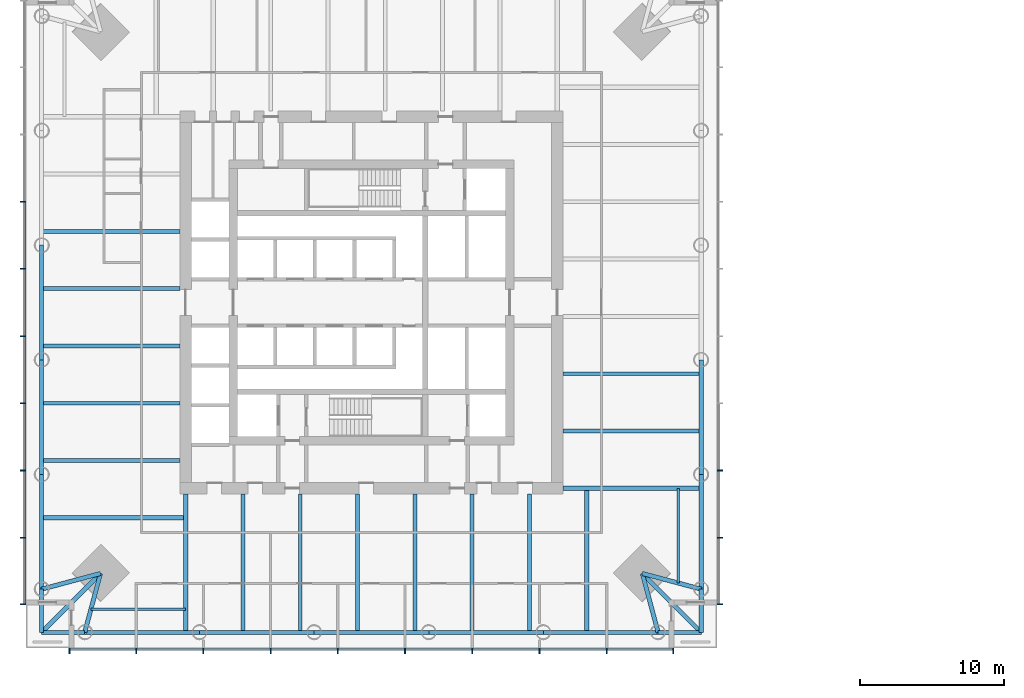
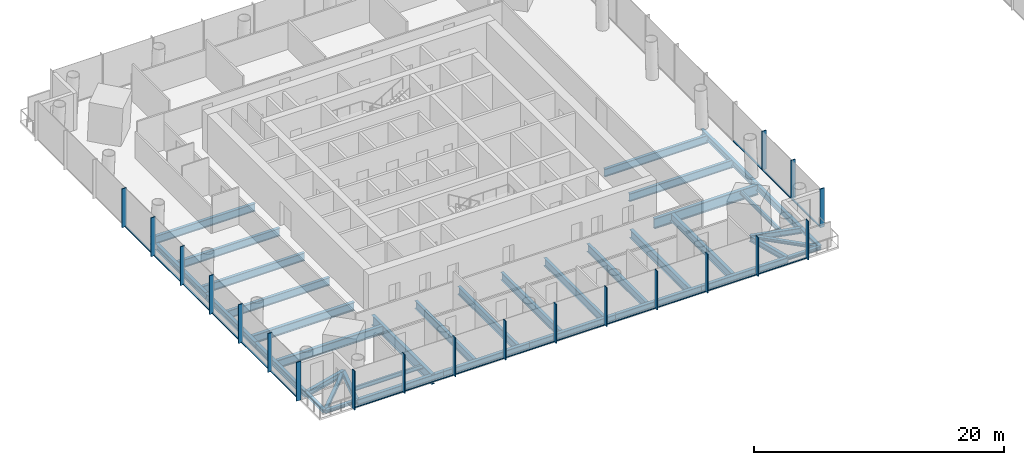
# One storey, part 2 of 18: 39 beams, 38 members, 3 elements without a shape of their own.
"""IFC4 building model written with IfcOpenShell, lengths in metres."""

from ifc_helpers import new_model, si_unit, direction, frame, origin, origin_2d, place, context, subcontext, project, spatial, rectangle, i_section, extrude, material, material_profile, profile_set, type_object, element, aggregate, save


model = new_model("IFC4")

# Units and contexts
model_context = context("Model", 3, precision=1e-05, world=origin(), true_north=direction((0.0, 1.0)))
body_context = subcontext(model_context, "Body", "Model", "MODEL_VIEW")
ifc_project = project(units=[si_unit("LENGTHUNIT", "METRE"), si_unit("AREAUNIT", "SQUARE_METRE"), si_unit("VOLUMEUNIT", "CUBIC_METRE"), si_unit("PLANEANGLEUNIT", "RADIAN"), si_unit("MASSUNIT", "GRAM", prefix="KILO")], contexts=[model_context])

# Site, building, storey
site_placement = place(None, origin())
site = spatial("IfcSite", under=ifc_project, at=site_placement, CompositionType="ELEMENT")
building_placement = place(site_placement, origin())
building = spatial("IfcBuilding", under=site, at=building_placement, Name="Ostroluk Exchange", CompositionType="ELEMENT")
storey_placement = place(building_placement, frame((0.0, 0.0, 55.199951171875)))
storey = spatial("IfcBuildingStorey", under=building, at=storey_placement, Name="L13", CompositionType="ELEMENT", Elevation=55.199951171875)

# Beams
ifc_material_1 = material(Name="Steel S355", Category="steel")
ifc_material_profile_1 = material_profile(ifc_material_1, i_section(OverallWidth=0.300048828125, OverallDepth=0.300048828125, WebThickness=0.010986328125, FlangeThickness=0.01904296875, FilletRadius=0.027099609375, at=origin_2d()), Name="HEB 300")
ifc_profile_set_1 = profile_set([ifc_material_profile_1], Name="Steel S355")
beam_type_1 = type_object("IfcBeamType", Name="Balcony beam HEB 300", PredefinedType="BEAM", material=ifc_profile_set_1)
for number, where, z_axis, x_axis, name in (
    (1, (22.0927734375, 26.0927734375, -0.329833984375), (0.0, -1.0, 0.0), (1.0, 0.0, 0.0), "T1 west balcony beam a"),
    (2, (25.0927734375, 23.0927734375, -0.329833984375), (-1.0, 0.0, 0.0), (0.0, -1.0, 0.0), "T1 west balcony beam b"),
):
    element("IfcBeam", number, at=place(storey_placement, frame(where, z_axis=z_axis, x_axis=x_axis)), inside=storey, type_object=beam_type_1, Name=name, PredefinedType="BEAM", context=body_context, shape_type="SweptSolid", body=[
        extrude(i_section(OverallWidth=0.300048828125, OverallDepth=0.300048828125, WebThickness=0.010986328125, FlangeThickness=0.01904296875, FilletRadius=0.027099609375, at=origin_2d()), origin(), (0.0, 0.0, 1.0), 3.0),
    ])
beam_1_placement = place(storey_placement, frame((26.19287109375, 27.19287109375, -0.329833984375), z_axis=(-0.707106781187, -0.707106781187, 0.0), x_axis=(0.707106781187, -0.707106781187, 0.0)))
element("IfcBeam", 3, at=beam_1_placement, inside=storey, type_object=beam_type_1, Name="T1 west balcony beam c", PredefinedType="BEAM", context=body_context, shape_type="SweptSolid", body=[
    extrude(i_section(OverallWidth=0.300048828125, OverallDepth=0.300048828125, WebThickness=0.010986328125, FlangeThickness=0.01904296875, FilletRadius=0.027099609375, at=origin_2d()), origin(), (0.0, 0.0, 1.0), 5.79833984375),
])
for number, where, z_axis, x_axis, name in (
    (4, (64.9072265625, 23.0927734375, -0.329833984375), (1.0, 0.0, 0.0), (0.0, 1.0, 0.0), "T1 south balcony beam a"),
    (5, (67.9072265625, 26.0927734375, -0.329833984375), (0.0, -1.0, 0.0), (1.0, 0.0, 0.0), "T1 south balcony beam b"),
):
    element("IfcBeam", number, at=place(storey_placement, frame(where, z_axis=z_axis, x_axis=x_axis)), inside=storey, type_object=beam_type_1, Name=name, PredefinedType="BEAM", context=body_context, shape_type="SweptSolid", body=[
        extrude(i_section(OverallWidth=0.300048828125, OverallDepth=0.300048828125, WebThickness=0.010986328125, FlangeThickness=0.01904296875, FilletRadius=0.027099609375, at=origin_2d()), origin(), (0.0, 0.0, 1.0), 3.0),
    ])
beam_2_placement = place(storey_placement, frame((63.80712890625, 27.19287109375, -0.329833984375), z_axis=(0.707106781187, -0.707106781187, 0.0), x_axis=(0.707106781187, 0.707106781187, 0.0)))
element("IfcBeam", 6, at=beam_2_placement, inside=storey, type_object=beam_type_1, Name="T1 south balcony beam c", PredefinedType="BEAM", context=body_context, shape_type="SweptSolid", body=[
    extrude(i_section(OverallWidth=0.300048828125, OverallDepth=0.300048828125, WebThickness=0.010986328125, FlangeThickness=0.01904296875, FilletRadius=0.027099609375, at=origin_2d()), origin(), (0.0, 0.0, 1.0), 5.79833984375),
])
ifc_material_2 = material(Name="Steel S355", Category="steel")
ifc_material_profile_2 = material_profile(ifc_material_2, i_section(OverallWidth=0.300048828125, OverallDepth=0.550048828125, WebThickness=0.014892578125, FlangeThickness=0.029052734375, FilletRadius=0.027099609375, at=origin_2d()), Name="HEB 550")
ifc_profile_set_2 = profile_set([ifc_material_profile_2], Name="Steel S355")
beam_type_2 = type_object("IfcBeamType", Name="Corner edge beam HEB 550", PredefinedType="SPANDREL", material=ifc_profile_set_2)
for number, where, z_axis, x_axis, name in (
    (7, (26.19287109375, 27.19287109375, -0.454833984375), (-0.965838624319, -0.259144268261, 0.0), (0.259144268261, -0.965838624319, 0.0), "T1 west corner edge beam a"),
    (8, (26.19287109375, 27.19287109375, -0.454833984375), (-0.259144268261, -0.965838624319, 0.0), (0.965838624319, -0.259144268261, 0.0), "T1 west corner edge beam b"),
    (9, (63.80712890625, 27.19287109375, -0.454833984375), (0.259144268261, -0.965838624319, 0.0), (0.965838624319, 0.259144268261, 0.0), "T1 south corner edge beam a"),
    (10, (63.80712890625, 27.19287109375, -0.454833984375), (0.965838624319, -0.259144268261, 0.0), (0.259144268261, 0.965838624319, 0.0), "T1 south corner edge beam b"),
):
    element("IfcBeam", number, at=place(storey_placement, frame(where, z_axis=z_axis, x_axis=x_axis)), inside=storey, type_object=beam_type_2, Name=name, PredefinedType="SPANDREL", context=body_context, shape_type="SweptSolid", body=[
        extrude(i_section(OverallWidth=0.300048828125, OverallDepth=0.550048828125, WebThickness=0.014892578125, FlangeThickness=0.029052734375, FilletRadius=0.027099609375, at=origin_2d()), origin(), (0.0, 0.0, 1.0), 4.2451171875),
    ])
ifc_material_3 = material(Name="Steel S355", Category="steel")
ifc_material_profile_3 = material_profile(ifc_material_3, i_section(OverallWidth=0.302978515625, OverallDepth=0.81396484375, WebThickness=0.02099609375, FlangeThickness=0.0400390625, FilletRadius=0.030029296875, at=origin_2d()), Name="HEM 800")
ifc_profile_set_3 = profile_set([ifc_material_profile_3], Name="Steel S355")
beam_type_3 = type_object("IfcBeamType", Name="Floor beam HEM 800", PredefinedType="BEAM", material=ifc_profile_set_3)
beam_3_placement = place(storey_placement, frame((31.699951171875, 35.028564453125, -0.5869140625), z_axis=(-1.0, 0.0, 0.0), x_axis=(0.0, -1.0, 0.0)))
element("IfcBeam", 11, at=beam_3_placement, inside=storey, type_object=beam_type_3, Name="T1 west floor beam 6", PredefinedType="BEAM", context=body_context, shape_type="SweptSolid", body=[
    extrude(i_section(OverallWidth=0.302978515625, OverallDepth=0.81396484375, WebThickness=0.02099609375, FlangeThickness=0.0400390625, FilletRadius=0.030029296875, at=origin_2d()), origin(), (0.0, 0.0, 1.0), 9.607177734375),
])
beam_4_placement = place(storey_placement, frame((32.10009765625, 31.050048828125, -0.5869140625), z_axis=(-1.0, 0.0, 0.0), x_axis=(0.0, -1.0, 0.0)))
element("IfcBeam", 12, at=beam_4_placement, inside=storey, type_object=beam_type_3, Name="T1 west floor beam 7", PredefinedType="BEAM", context=body_context, shape_type="SweptSolid", body=[
    extrude(i_section(OverallWidth=0.302978515625, OverallDepth=0.81396484375, WebThickness=0.02099609375, FlangeThickness=0.0400390625, FilletRadius=0.030029296875, at=origin_2d()), origin(), (0.0, 0.0, 1.0), 10.00732421875),
])
beam_5_placement = place(storey_placement, frame((55.971435546875, 32.699951171875, -0.5869140625), z_axis=(0.0, -1.0, 0.0), x_axis=(1.0, 0.0, 0.0)))
element("IfcBeam", 13, at=beam_5_placement, inside=storey, type_object=beam_type_3, Name="T1 south floor beam 6", PredefinedType="BEAM", context=body_context, shape_type="SweptSolid", body=[
    extrude(i_section(OverallWidth=0.302978515625, OverallDepth=0.81396484375, WebThickness=0.02099609375, FlangeThickness=0.0400390625, FilletRadius=0.030029296875, at=origin_2d()), origin(), (0.0, 0.0, 1.0), 9.607177734375),
])
beam_6_placement = place(storey_placement, frame((59.949951171875, 33.10009765625, -0.5869140625), z_axis=(0.0, -1.0, 0.0), x_axis=(1.0, 0.0, 0.0)))
element("IfcBeam", 14, at=beam_6_placement, inside=storey, type_object=beam_type_3, Name="T1 south floor beam 7", PredefinedType="BEAM", context=body_context, shape_type="SweptSolid", body=[
    extrude(i_section(OverallWidth=0.302978515625, OverallDepth=0.81396484375, WebThickness=0.02099609375, FlangeThickness=0.0400390625, FilletRadius=0.030029296875, at=origin_2d()), origin(), (0.0, 0.0, 1.0), 10.00732421875),
])
ifc_material_4 = material(Name="Steel S355", Category="steel")
ifc_material_profile_4 = material_profile(ifc_material_4, i_section(OverallWidth=0.179931640625, OverallDepth=0.39990234375, WebThickness=0.008544921875, FlangeThickness=0.013427734375, FilletRadius=0.02099609375, at=origin_2d()), Name="IPE 400")
ifc_profile_set_4 = profile_set([ifc_material_profile_4], Name="Steel S355")
beam_type_4 = type_object("IfcBeamType", Name="Floor beam IPE 400", PredefinedType="BEAM", material=ifc_profile_set_4)
for number, where, z_axis, x_axis, name in (
    (15, (32.10009765625, 24.69287109375, -0.3798828125), (-1.0, 0.0, 0.0), (0.0, -1.0, 0.0), "T1 west floor beam 8"),
    (16, (66.30712890625, 33.10009765625, -0.3798828125), (0.0, -1.0, 0.0), (1.0, 0.0, 0.0), "T1 south floor beam 8"),
):
    element("IfcBeam", number, at=place(storey_placement, frame(where, z_axis=z_axis, x_axis=x_axis)), inside=storey, type_object=beam_type_4, Name=name, PredefinedType="BEAM", context=body_context, shape_type="SweptSolid", body=[
        extrude(i_section(OverallWidth=0.179931640625, OverallDepth=0.39990234375, WebThickness=0.008544921875, FlangeThickness=0.013427734375, FilletRadius=0.02099609375, at=origin_2d()), origin(), (0.0, 0.0, 1.0), 6.577880859375),
    ])
ifc_material_5 = material(Name="Steel S355", Category="steel")
ifc_material_profile_5 = material_profile(ifc_material_5, i_section(OverallWidth=0.26806640625, OverallDepth=0.77001953125, WebThickness=0.015625, FlangeThickness=0.025390625, FilletRadius=0.01708984375, at=origin_2d()), Name="IPE 750x196")
ifc_profile_set_5 = profile_set([ifc_material_profile_5], Name="Steel S355")
beam_type_5 = type_object("IfcBeamType", Name="Floor beam IPE 750x196", PredefinedType="BEAM", material=ifc_profile_set_5)
for number, where, z_axis, x_axis, name in (
    (17, (58.300048828125, 37.07861328125, -0.56494140625), (1.0, 0.0, 0.0), (0.0, 1.0, 0.0), "T1 east floor beam 1"),
    (18, (58.300048828125, 41.05712890625, -0.56494140625), (1.0, 0.0, 0.0), (0.0, 1.0, 0.0), "T1 east floor beam 2"),
    (19, (31.699951171875, 50.94287109375, -0.56494140625), (-1.0, 0.0, 0.0), (0.0, -1.0, 0.0), "T1 west floor beam 2"),
    (20, (31.699951171875, 46.96435546875, -0.56494140625), (-1.0, 0.0, 0.0), (0.0, -1.0, 0.0), "T1 west floor beam 3"),
    (21, (31.699951171875, 42.985595703125, -0.56494140625), (-1.0, 0.0, 0.0), (0.0, -1.0, 0.0), "T1 west floor beam 4"),
    (22, (31.699951171875, 39.007080078125, -0.56494140625), (-1.0, 0.0, 0.0), (0.0, -1.0, 0.0), "T1 west floor beam 5"),
    (23, (36.07861328125, 32.699951171875, -0.56494140625), (0.0, -1.0, 0.0), (1.0, 0.0, 0.0), "T1 south floor beam 1"),
    (24, (40.05712890625, 32.699951171875, -0.56494140625), (0.0, -1.0, 0.0), (1.0, 0.0, 0.0), "T1 south floor beam 2"),
    (25, (44.03564453125, 32.699951171875, -0.56494140625), (0.0, -1.0, 0.0), (1.0, 0.0, 0.0), "T1 south floor beam 3"),
    (26, (48.014404296875, 32.699951171875, -0.56494140625), (0.0, -1.0, 0.0), (1.0, 0.0, 0.0), "T1 south floor beam 4"),
    (27, (51.992919921875, 32.699951171875, -0.56494140625), (0.0, -1.0, 0.0), (1.0, 0.0, 0.0), "T1 south floor beam 5"),
):
    element("IfcBeam", number, at=place(storey_placement, frame(where, z_axis=z_axis, x_axis=x_axis)), inside=storey, type_object=beam_type_5, Name=name, PredefinedType="BEAM", context=body_context, shape_type="SweptSolid", body=[
        extrude(i_section(OverallWidth=0.26806640625, OverallDepth=0.77001953125, WebThickness=0.015625, FlangeThickness=0.025390625, FilletRadius=0.01708984375, at=origin_2d()), origin(), (0.0, 0.0, 1.0), 9.607177734375),
    ])
ifc_material_6 = material(Name="Steel S355", Category="steel")
ifc_material_profile_6 = material_profile(ifc_material_6, i_section(OverallWidth=0.302001953125, OverallDepth=1.008056640625, WebThickness=0.02099609375, FlangeThickness=0.0400390625, FilletRadius=0.030029296875, at=origin_2d()), Name="HEM 1000")
ifc_profile_set_6 = profile_set([ifc_material_profile_6], Name="Steel S355")
beam_type_6 = type_object("IfcBeamType", Name="Girder HEM 1000", PredefinedType="BEAM", material=ifc_profile_set_6)
for number, where, z_axis, x_axis, name in (
    (28, (32.10009765625, 32.699951171875, -0.683837890625), (0.0, -1.0, 0.0), (1.0, 0.0, 0.0), "T1 west girder"),
    (29, (58.300048828125, 33.10009765625, -0.683837890625), (1.0, 0.0, 0.0), (0.0, 1.0, 0.0), "T1 south girder"),
):
    element("IfcBeam", number, at=place(storey_placement, frame(where, z_axis=z_axis, x_axis=x_axis)), inside=storey, type_object=beam_type_6, Name=name, PredefinedType="BEAM", context=body_context, shape_type="SweptSolid", body=[
        extrude(i_section(OverallWidth=0.302001953125, OverallDepth=1.008056640625, WebThickness=0.02099609375, FlangeThickness=0.0400390625, FilletRadius=0.030029296875, at=origin_2d()), origin(), (0.0, 0.0, 1.0), 9.607177734375),
    ])
ifc_material_7 = material(Name="Steel S355", Category="steel")
ifc_material_profile_7 = material_profile(ifc_material_7, i_section(OverallWidth=0.300048828125, OverallDepth=0.60009765625, WebThickness=0.015380859375, FlangeThickness=0.030029296875, FilletRadius=0.027099609375, at=origin_2d()), Name="HEB 600")
ifc_profile_set_7 = profile_set([ifc_material_profile_7], Name="Steel S355")
beam_type_7 = type_object("IfcBeamType", Name="Moment-connected edge beam HEB 600", PredefinedType="SPANDREL", material=ifc_profile_set_7)
for number, where, z_axis, x_axis, name in (
    (30, (67.9072265625, 26.0927734375, -0.47998046875), (0.0, 1.0, 0.0), (-1.0, 0.0, 0.0), "T1 east edge beam 1"),
    (31, (67.9072265625, 34.0556640625, -0.47998046875), (0.0, 1.0, 0.0), (-1.0, 0.0, 0.0), "T1 east edge beam 2"),
    (32, (22.0927734375, 49.9814453125, -0.47998046875), (0.0, -1.0, 0.0), (1.0, 0.0, 0.0), "T1 west edge beam 3"),
    (33, (22.0927734375, 42.0185546875, -0.47998046875), (0.0, -1.0, 0.0), (1.0, 0.0, 0.0), "T1 west edge beam 4"),
    (34, (22.0927734375, 34.0556640625, -0.47998046875), (0.0, -1.0, 0.0), (1.0, 0.0, 0.0), "T1 west edge beam 5"),
    (35, (25.0927734375, 23.0927734375, -0.47998046875), (1.0, 0.0, 0.0), (0.0, 1.0, 0.0), "T1 south edge beam 1"),
    (36, (33.0556640625, 23.0927734375, -0.47998046875), (1.0, 0.0, 0.0), (0.0, 1.0, 0.0), "T1 south edge beam 2"),
    (37, (41.0185546875, 23.0927734375, -0.47998046875), (1.0, 0.0, 0.0), (0.0, 1.0, 0.0), "T1 south edge beam 3"),
    (38, (48.9814453125, 23.0927734375, -0.47998046875), (1.0, 0.0, 0.0), (0.0, 1.0, 0.0), "T1 south edge beam 4"),
    (39, (56.9443359375, 23.0927734375, -0.47998046875), (1.0, 0.0, 0.0), (0.0, 1.0, 0.0), "T1 south edge beam 5"),
):
    element("IfcBeam", number, at=place(storey_placement, frame(where, z_axis=z_axis, x_axis=x_axis)), inside=storey, type_object=beam_type_7, Name=name, PredefinedType="SPANDREL", context=body_context, shape_type="SweptSolid", body=[
        extrude(i_section(OverallWidth=0.300048828125, OverallDepth=0.60009765625, WebThickness=0.015380859375, FlangeThickness=0.030029296875, FilletRadius=0.027099609375, at=origin_2d()), origin(), (0.0, 0.0, 1.0), 7.962890625),
    ])

# Curtain wall, members
ifc_material_8 = material(Name="Laminated clear glass", Category="glass")
curtain_wall_type = type_object("IfcCurtainWallType", Name="Office tower facade", PredefinedType="USERDEFINED", material=ifc_material_8)
curtain_wall_1_placement = place(storey_placement, origin())
curtain_wall_1 = element("IfcCurtainWall", 40, at=curtain_wall_1_placement, inside=storey, type_object=curtain_wall_type, Name="Office tower south facade L13", ObjectType="UNITISED CURTAIN WALL", PredefinedType="USERDEFINED")
ifc_material_9 = material(Name="Aluminium mullion", Category="aluminium")
ifc_material_profile_8 = material_profile(ifc_material_9, rectangle(XDim=0.14990234375, YDim=0.080078125, at=origin_2d()), Name="Sill transom 80 x 150")
ifc_profile_set_8 = profile_set([ifc_material_profile_8], Name="Aluminium mullion")
member_type_1 = type_object("IfcMemberType", Name="Sill transom 80 x 150", PredefinedType="USERDEFINED", material=ifc_profile_set_8)
member_1_placement = place(storey_placement, frame((24.080078125, 21.925048828125, 0.0400390625), z_axis=(1.0, 0.0, 0.0), x_axis=(0.0, 1.0, 0.0)))
member_1 = element("IfcMember", 41, at=member_1_placement, type_object=member_type_1, Name="CW-O1 transom 1.1", ObjectType="TRANSOM", PredefinedType="USERDEFINED", context=body_context, shape_type="SweptSolid", body=[
    extrude(rectangle(XDim=0.14990234375, YDim=0.080078125, at=origin_2d()), origin(), (0.0, 0.0, 1.0), 4.546630859375),
])
member_2_placement = place(storey_placement, frame((28.706787109375, 21.925048828125, 0.0400390625), z_axis=(1.0, 0.0, 0.0), x_axis=(0.0, 1.0, 0.0)))
member_2 = element("IfcMember", 42, at=member_2_placement, type_object=member_type_1, Name="CW-O1 transom 2.1", ObjectType="TRANSOM", PredefinedType="USERDEFINED", context=body_context, shape_type="SweptSolid", body=[
    extrude(rectangle(XDim=0.14990234375, YDim=0.080078125, at=origin_2d()), origin(), (0.0, 0.0, 1.0), 4.58642578125),
])
member_3_placement = place(storey_placement, frame((33.373291015625, 21.925048828125, 0.0400390625), z_axis=(1.0, 0.0, 0.0), x_axis=(0.0, 1.0, 0.0)))
member_3 = element("IfcMember", 43, at=member_3_placement, type_object=member_type_1, Name="CW-O1 transom 3.1", ObjectType="TRANSOM", PredefinedType="USERDEFINED", context=body_context, shape_type="SweptSolid", body=[
    extrude(rectangle(XDim=0.14990234375, YDim=0.080078125, at=origin_2d()), origin(), (0.0, 0.0, 1.0), 4.586669921875),
])
member_4_placement = place(storey_placement, frame((38.0400390625, 21.925048828125, 0.0400390625), z_axis=(1.0, 0.0, 0.0), x_axis=(0.0, 1.0, 0.0)))
member_4 = element("IfcMember", 44, at=member_4_placement, type_object=member_type_1, Name="CW-O1 transom 4.1", ObjectType="TRANSOM", PredefinedType="USERDEFINED", context=body_context, shape_type="SweptSolid", body=[
    extrude(rectangle(XDim=0.14990234375, YDim=0.080078125, at=origin_2d()), origin(), (0.0, 0.0, 1.0), 4.586669921875),
])
member_5_placement = place(storey_placement, frame((42.706787109375, 21.925048828125, 0.0400390625), z_axis=(1.0, 0.0, 0.0), x_axis=(0.0, 1.0, 0.0)))
member_5 = element("IfcMember", 45, at=member_5_placement, type_object=member_type_1, Name="CW-O1 transom 5.1", ObjectType="TRANSOM", PredefinedType="USERDEFINED", context=body_context, shape_type="SweptSolid", body=[
    extrude(rectangle(XDim=0.14990234375, YDim=0.080078125, at=origin_2d()), origin(), (0.0, 0.0, 1.0), 4.58642578125),
])
member_6_placement = place(storey_placement, frame((47.373291015625, 21.925048828125, 0.0400390625), z_axis=(1.0, 0.0, 0.0), x_axis=(0.0, 1.0, 0.0)))
member_6 = element("IfcMember", 46, at=member_6_placement, type_object=member_type_1, Name="CW-O1 transom 6.1", ObjectType="TRANSOM", PredefinedType="USERDEFINED", context=body_context, shape_type="SweptSolid", body=[
    extrude(rectangle(XDim=0.14990234375, YDim=0.080078125, at=origin_2d()), origin(), (0.0, 0.0, 1.0), 4.586669921875),
])
member_7_placement = place(storey_placement, frame((52.0400390625, 21.925048828125, 0.0400390625), z_axis=(1.0, 0.0, 0.0), x_axis=(0.0, 1.0, 0.0)))
member_7 = element("IfcMember", 47, at=member_7_placement, type_object=member_type_1, Name="CW-O1 transom 7.1", ObjectType="TRANSOM", PredefinedType="USERDEFINED", context=body_context, shape_type="SweptSolid", body=[
    extrude(rectangle(XDim=0.14990234375, YDim=0.080078125, at=origin_2d()), origin(), (0.0, 0.0, 1.0), 4.586669921875),
])
member_8_placement = place(storey_placement, frame((56.706787109375, 21.925048828125, 0.0400390625), z_axis=(1.0, 0.0, 0.0), x_axis=(0.0, 1.0, 0.0)))
member_8 = element("IfcMember", 48, at=member_8_placement, type_object=member_type_1, Name="CW-O1 transom 8.1", ObjectType="TRANSOM", PredefinedType="USERDEFINED", context=body_context, shape_type="SweptSolid", body=[
    extrude(rectangle(XDim=0.14990234375, YDim=0.080078125, at=origin_2d()), origin(), (0.0, 0.0, 1.0), 4.58642578125),
])
member_9_placement = place(storey_placement, frame((61.373291015625, 21.925048828125, 0.0400390625), z_axis=(1.0, 0.0, 0.0), x_axis=(0.0, 1.0, 0.0)))
member_9 = element("IfcMember", 49, at=member_9_placement, type_object=member_type_1, Name="CW-O1 transom 9.1", ObjectType="TRANSOM", PredefinedType="USERDEFINED", context=body_context, shape_type="SweptSolid", body=[
    extrude(rectangle(XDim=0.14990234375, YDim=0.080078125, at=origin_2d()), origin(), (0.0, 0.0, 1.0), 4.546630859375),
])

curtain_wall_2_placement = place(storey_placement, origin())
curtain_wall_2 = element("IfcCurtainWall", 50, at=curtain_wall_2_placement, inside=storey, type_object=curtain_wall_type, Name="Office tower east facade L13", ObjectType="UNITISED CURTAIN WALL", PredefinedType="USERDEFINED")
member_10_placement = place(storey_placement, frame((69.074951171875, 25.080078125, 0.0400390625), z_axis=(0.0, 1.0, 0.0), x_axis=(-1.0, 0.0, 0.0)))
member_10 = element("IfcMember", 51, at=member_10_placement, type_object=member_type_1, Name="CW-O1 transom 1.1", ObjectType="TRANSOM", PredefinedType="USERDEFINED", context=body_context, shape_type="SweptSolid", body=[
    extrude(rectangle(XDim=0.14990234375, YDim=0.080078125, at=origin_2d()), origin(), (0.0, 0.0, 1.0), 4.546630859375),
])
member_11_placement = place(storey_placement, frame((69.074951171875, 29.706787109375, 0.0400390625), z_axis=(0.0, 1.0, 0.0), x_axis=(-1.0, 0.0, 0.0)))
member_11 = element("IfcMember", 52, at=member_11_placement, type_object=member_type_1, Name="CW-O1 transom 2.1", ObjectType="TRANSOM", PredefinedType="USERDEFINED", context=body_context, shape_type="SweptSolid", body=[
    extrude(rectangle(XDim=0.14990234375, YDim=0.080078125, at=origin_2d()), origin(), (0.0, 0.0, 1.0), 4.58642578125),
])
member_12_placement = place(storey_placement, frame((69.074951171875, 34.373291015625, 0.0400390625), z_axis=(0.0, 1.0, 0.0), x_axis=(-1.0, 0.0, 0.0)))
member_12 = element("IfcMember", 53, at=member_12_placement, type_object=member_type_1, Name="CW-O1 transom 3.1", ObjectType="TRANSOM", PredefinedType="USERDEFINED", context=body_context, shape_type="SweptSolid", body=[
    extrude(rectangle(XDim=0.14990234375, YDim=0.080078125, at=origin_2d()), origin(), (0.0, 0.0, 1.0), 4.586669921875),
])

curtain_wall_3_placement = place(storey_placement, origin())
curtain_wall_3 = element("IfcCurtainWall", 54, at=curtain_wall_3_placement, inside=storey, type_object=curtain_wall_type, Name="Office tower west facade L13", ObjectType="UNITISED CURTAIN WALL", PredefinedType="USERDEFINED")
member_13_placement = place(storey_placement, frame((20.925048828125, 52.9599609375, 0.0400390625), z_axis=(0.0, -1.0, 0.0), x_axis=(1.0, 0.0, 0.0)))
member_13 = element("IfcMember", 55, at=member_13_placement, type_object=member_type_1, Name="CW-O1 transom 4.1", ObjectType="TRANSOM", PredefinedType="USERDEFINED", context=body_context, shape_type="SweptSolid", body=[
    extrude(rectangle(XDim=0.14990234375, YDim=0.080078125, at=origin_2d()), origin(), (0.0, 0.0, 1.0), 4.586669921875),
])
member_14_placement = place(storey_placement, frame((20.925048828125, 48.293212890625, 0.0400390625), z_axis=(0.0, -1.0, 0.0), x_axis=(1.0, 0.0, 0.0)))
member_14 = element("IfcMember", 56, at=member_14_placement, type_object=member_type_1, Name="CW-O1 transom 5.1", ObjectType="TRANSOM", PredefinedType="USERDEFINED", context=body_context, shape_type="SweptSolid", body=[
    extrude(rectangle(XDim=0.14990234375, YDim=0.080078125, at=origin_2d()), origin(), (0.0, 0.0, 1.0), 4.58642578125),
])
member_15_placement = place(storey_placement, frame((20.925048828125, 43.626708984375, 0.0400390625), z_axis=(0.0, -1.0, 0.0), x_axis=(1.0, 0.0, 0.0)))
member_15 = element("IfcMember", 57, at=member_15_placement, type_object=member_type_1, Name="CW-O1 transom 6.1", ObjectType="TRANSOM", PredefinedType="USERDEFINED", context=body_context, shape_type="SweptSolid", body=[
    extrude(rectangle(XDim=0.14990234375, YDim=0.080078125, at=origin_2d()), origin(), (0.0, 0.0, 1.0), 4.586669921875),
])
member_16_placement = place(storey_placement, frame((20.925048828125, 38.9599609375, 0.0400390625), z_axis=(0.0, -1.0, 0.0), x_axis=(1.0, 0.0, 0.0)))
member_16 = element("IfcMember", 58, at=member_16_placement, type_object=member_type_1, Name="CW-O1 transom 7.1", ObjectType="TRANSOM", PredefinedType="USERDEFINED", context=body_context, shape_type="SweptSolid", body=[
    extrude(rectangle(XDim=0.14990234375, YDim=0.080078125, at=origin_2d()), origin(), (0.0, 0.0, 1.0), 4.586669921875),
])
member_17_placement = place(storey_placement, frame((20.925048828125, 34.293212890625, 0.0400390625), z_axis=(0.0, -1.0, 0.0), x_axis=(1.0, 0.0, 0.0)))
member_17 = element("IfcMember", 59, at=member_17_placement, type_object=member_type_1, Name="CW-O1 transom 8.1", ObjectType="TRANSOM", PredefinedType="USERDEFINED", context=body_context, shape_type="SweptSolid", body=[
    extrude(rectangle(XDim=0.14990234375, YDim=0.080078125, at=origin_2d()), origin(), (0.0, 0.0, 1.0), 4.58642578125),
])
member_18_placement = place(storey_placement, frame((20.925048828125, 29.626708984375, 0.0400390625), z_axis=(0.0, -1.0, 0.0), x_axis=(1.0, 0.0, 0.0)))
member_18 = element("IfcMember", 60, at=member_18_placement, type_object=member_type_1, Name="CW-O1 transom 9.1", ObjectType="TRANSOM", PredefinedType="USERDEFINED", context=body_context, shape_type="SweptSolid", body=[
    extrude(rectangle(XDim=0.14990234375, YDim=0.080078125, at=origin_2d()), origin(), (0.0, 0.0, 1.0), 4.546630859375),
])

# Member
ifc_material_10 = material(Name="Aluminium mullion with limestone facing", Category="masonry")
ifc_material_profile_9 = material_profile(ifc_material_10, rectangle(XDim=0.39990234375, YDim=0.080078125, at=origin_2d()), Name="Tracery mullion 80 x 400")
ifc_profile_set_9 = profile_set([ifc_material_profile_9], Name="Aluminium mullion with limestone facing")
member_type_2 = type_object("IfcMemberType", Name="Tracery mullion 80 x 400", PredefinedType="MULLION", material=ifc_profile_set_9)
member_19_placement = place(storey_placement, frame((24.0400390625, 21.800048828125, 0.0), z_axis=(0.0, 0.0, 1.0), x_axis=(0.0, 1.0, 0.0)))
member_19 = element("IfcMember", 61, at=member_19_placement, type_object=member_type_2, Name="CW-O1 mullion 1", PredefinedType="MULLION", context=body_context, shape_type="SweptSolid", body=[
    extrude(rectangle(XDim=0.39990234375, YDim=0.080078125, at=origin_2d()), origin(), (0.0, 0.0, 1.0), 3.800048828125),
])

member_20_placement = place(storey_placement, frame((28.666748046875, 21.800048828125, 0.0), z_axis=(0.0, 0.0, 1.0), x_axis=(0.0, 1.0, 0.0)))
member_20 = element("IfcMember", 62, at=member_20_placement, type_object=member_type_2, Name="CW-O1 mullion 2", PredefinedType="MULLION", context=body_context, shape_type="SweptSolid", body=[
    extrude(rectangle(XDim=0.39990234375, YDim=0.080078125, at=origin_2d()), origin(), (0.0, 0.0, 1.0), 3.800048828125),
])

member_21_placement = place(storey_placement, frame((33.333251953125, 21.800048828125, 0.0), z_axis=(0.0, 0.0, 1.0), x_axis=(0.0, 1.0, 0.0)))
member_21 = element("IfcMember", 63, at=member_21_placement, type_object=member_type_2, Name="CW-O1 mullion 3", PredefinedType="MULLION", context=body_context, shape_type="SweptSolid", body=[
    extrude(rectangle(XDim=0.39990234375, YDim=0.080078125, at=origin_2d()), origin(), (0.0, 0.0, 1.0), 3.800048828125),
])

member_22_placement = place(storey_placement, frame((38.0, 21.800048828125, 0.0), z_axis=(0.0, 0.0, 1.0), x_axis=(0.0, 1.0, 0.0)))
member_22 = element("IfcMember", 64, at=member_22_placement, type_object=member_type_2, Name="CW-O1 mullion 4", PredefinedType="MULLION", context=body_context, shape_type="SweptSolid", body=[
    extrude(rectangle(XDim=0.39990234375, YDim=0.080078125, at=origin_2d()), origin(), (0.0, 0.0, 1.0), 3.800048828125),
])

member_23_placement = place(storey_placement, frame((42.666748046875, 21.800048828125, 0.0), z_axis=(0.0, 0.0, 1.0), x_axis=(0.0, 1.0, 0.0)))
member_23 = element("IfcMember", 65, at=member_23_placement, type_object=member_type_2, Name="CW-O1 mullion 5", PredefinedType="MULLION", context=body_context, shape_type="SweptSolid", body=[
    extrude(rectangle(XDim=0.39990234375, YDim=0.080078125, at=origin_2d()), origin(), (0.0, 0.0, 1.0), 3.800048828125),
])

member_24_placement = place(storey_placement, frame((47.333251953125, 21.800048828125, 0.0), z_axis=(0.0, 0.0, 1.0), x_axis=(0.0, 1.0, 0.0)))
member_24 = element("IfcMember", 66, at=member_24_placement, type_object=member_type_2, Name="CW-O1 mullion 6", PredefinedType="MULLION", context=body_context, shape_type="SweptSolid", body=[
    extrude(rectangle(XDim=0.39990234375, YDim=0.080078125, at=origin_2d()), origin(), (0.0, 0.0, 1.0), 3.800048828125),
])

member_25_placement = place(storey_placement, frame((52.0, 21.800048828125, 0.0), z_axis=(0.0, 0.0, 1.0), x_axis=(0.0, 1.0, 0.0)))
member_25 = element("IfcMember", 67, at=member_25_placement, type_object=member_type_2, Name="CW-O1 mullion 7", PredefinedType="MULLION", context=body_context, shape_type="SweptSolid", body=[
    extrude(rectangle(XDim=0.39990234375, YDim=0.080078125, at=origin_2d()), origin(), (0.0, 0.0, 1.0), 3.800048828125),
])

member_26_placement = place(storey_placement, frame((56.666748046875, 21.800048828125, 0.0), z_axis=(0.0, 0.0, 1.0), x_axis=(0.0, 1.0, 0.0)))
member_26 = element("IfcMember", 68, at=member_26_placement, type_object=member_type_2, Name="CW-O1 mullion 8", PredefinedType="MULLION", context=body_context, shape_type="SweptSolid", body=[
    extrude(rectangle(XDim=0.39990234375, YDim=0.080078125, at=origin_2d()), origin(), (0.0, 0.0, 1.0), 3.800048828125),
])

member_27_placement = place(storey_placement, frame((61.333251953125, 21.800048828125, 0.0), z_axis=(0.0, 0.0, 1.0), x_axis=(0.0, 1.0, 0.0)))
member_27 = element("IfcMember", 69, at=member_27_placement, type_object=member_type_2, Name="CW-O1 mullion 9", PredefinedType="MULLION", context=body_context, shape_type="SweptSolid", body=[
    extrude(rectangle(XDim=0.39990234375, YDim=0.080078125, at=origin_2d()), origin(), (0.0, 0.0, 1.0), 3.800048828125),
])

member_28_placement = place(storey_placement, frame((65.9599609375, 21.800048828125, 0.0), z_axis=(0.0, 0.0, 1.0), x_axis=(0.0, 1.0, 0.0)))
member_28 = element("IfcMember", 70, at=member_28_placement, type_object=member_type_2, Name="CW-O1 mullion 10", PredefinedType="MULLION", context=body_context, shape_type="SweptSolid", body=[
    extrude(rectangle(XDim=0.39990234375, YDim=0.080078125, at=origin_2d()), origin(), (0.0, 0.0, 1.0), 3.800048828125),
])

aggregate(curtain_wall_1, [member_19, member_20, member_21, member_22, member_23, member_24, member_25, member_26, member_27, member_28, member_1, member_2, member_3, member_4, member_5, member_6, member_7, member_8, member_9])

member_29_placement = place(storey_placement, frame((69.199951171875, 25.0400390625, 0.0), z_axis=(0.0, 0.0, 1.0), x_axis=(-1.0, 0.0, 0.0)))
member_29 = element("IfcMember", 71, at=member_29_placement, type_object=member_type_2, Name="CW-O1 mullion 1", PredefinedType="MULLION", context=body_context, shape_type="SweptSolid", body=[
    extrude(rectangle(XDim=0.39990234375, YDim=0.080078125, at=origin_2d()), origin(), (0.0, 0.0, 1.0), 3.800048828125),
])

member_30_placement = place(storey_placement, frame((69.199951171875, 29.666748046875, 0.0), z_axis=(0.0, 0.0, 1.0), x_axis=(-1.0, 0.0, 0.0)))
member_30 = element("IfcMember", 72, at=member_30_placement, type_object=member_type_2, Name="CW-O1 mullion 2", PredefinedType="MULLION", context=body_context, shape_type="SweptSolid", body=[
    extrude(rectangle(XDim=0.39990234375, YDim=0.080078125, at=origin_2d()), origin(), (0.0, 0.0, 1.0), 3.800048828125),
])

member_31_placement = place(storey_placement, frame((69.199951171875, 34.333251953125, 0.0), z_axis=(0.0, 0.0, 1.0), x_axis=(-1.0, 0.0, 0.0)))
member_31 = element("IfcMember", 73, at=member_31_placement, type_object=member_type_2, Name="CW-O1 mullion 3", PredefinedType="MULLION", context=body_context, shape_type="SweptSolid", body=[
    extrude(rectangle(XDim=0.39990234375, YDim=0.080078125, at=origin_2d()), origin(), (0.0, 0.0, 1.0), 3.800048828125),
])

aggregate(curtain_wall_2, [member_29, member_30, member_31, member_10, member_11, member_12])

member_32_placement = place(storey_placement, frame((20.800048828125, 53.0, 0.0), z_axis=(0.0, 0.0, 1.0), x_axis=(1.0, 0.0, 0.0)))
member_32 = element("IfcMember", 74, at=member_32_placement, type_object=member_type_2, Name="CW-O1 mullion 4", PredefinedType="MULLION", context=body_context, shape_type="SweptSolid", body=[
    extrude(rectangle(XDim=0.39990234375, YDim=0.080078125, at=origin_2d()), origin(), (0.0, 0.0, 1.0), 3.800048828125),
])

member_33_placement = place(storey_placement, frame((20.800048828125, 48.333251953125, 0.0), z_axis=(0.0, 0.0, 1.0), x_axis=(1.0, 0.0, 0.0)))
member_33 = element("IfcMember", 75, at=member_33_placement, type_object=member_type_2, Name="CW-O1 mullion 5", PredefinedType="MULLION", context=body_context, shape_type="SweptSolid", body=[
    extrude(rectangle(XDim=0.39990234375, YDim=0.080078125, at=origin_2d()), origin(), (0.0, 0.0, 1.0), 3.800048828125),
])

member_34_placement = place(storey_placement, frame((20.800048828125, 43.666748046875, 0.0), z_axis=(0.0, 0.0, 1.0), x_axis=(1.0, 0.0, 0.0)))
member_34 = element("IfcMember", 76, at=member_34_placement, type_object=member_type_2, Name="CW-O1 mullion 6", PredefinedType="MULLION", context=body_context, shape_type="SweptSolid", body=[
    extrude(rectangle(XDim=0.39990234375, YDim=0.080078125, at=origin_2d()), origin(), (0.0, 0.0, 1.0), 3.800048828125),
])

member_35_placement = place(storey_placement, frame((20.800048828125, 39.0, 0.0), z_axis=(0.0, 0.0, 1.0), x_axis=(1.0, 0.0, 0.0)))
member_35 = element("IfcMember", 77, at=member_35_placement, type_object=member_type_2, Name="CW-O1 mullion 7", PredefinedType="MULLION", context=body_context, shape_type="SweptSolid", body=[
    extrude(rectangle(XDim=0.39990234375, YDim=0.080078125, at=origin_2d()), origin(), (0.0, 0.0, 1.0), 3.800048828125),
])

member_36_placement = place(storey_placement, frame((20.800048828125, 34.333251953125, 0.0), z_axis=(0.0, 0.0, 1.0), x_axis=(1.0, 0.0, 0.0)))
member_36 = element("IfcMember", 78, at=member_36_placement, type_object=member_type_2, Name="CW-O1 mullion 8", PredefinedType="MULLION", context=body_context, shape_type="SweptSolid", body=[
    extrude(rectangle(XDim=0.39990234375, YDim=0.080078125, at=origin_2d()), origin(), (0.0, 0.0, 1.0), 3.800048828125),
])

member_37_placement = place(storey_placement, frame((20.800048828125, 29.666748046875, 0.0), z_axis=(0.0, 0.0, 1.0), x_axis=(1.0, 0.0, 0.0)))
member_37 = element("IfcMember", 79, at=member_37_placement, type_object=member_type_2, Name="CW-O1 mullion 9", PredefinedType="MULLION", context=body_context, shape_type="SweptSolid", body=[
    extrude(rectangle(XDim=0.39990234375, YDim=0.080078125, at=origin_2d()), origin(), (0.0, 0.0, 1.0), 3.800048828125),
])

member_38_placement = place(storey_placement, frame((20.800048828125, 25.0400390625, 0.0), z_axis=(0.0, 0.0, 1.0), x_axis=(1.0, 0.0, 0.0)))
member_38 = element("IfcMember", 80, at=member_38_placement, type_object=member_type_2, Name="CW-O1 mullion 10", PredefinedType="MULLION", context=body_context, shape_type="SweptSolid", body=[
    extrude(rectangle(XDim=0.39990234375, YDim=0.080078125, at=origin_2d()), origin(), (0.0, 0.0, 1.0), 3.800048828125),
])

aggregate(curtain_wall_3, [member_32, member_33, member_34, member_35, member_36, member_37, member_38, member_13, member_14, member_15, member_16, member_17, member_18])

save(model, "model.ifc")
